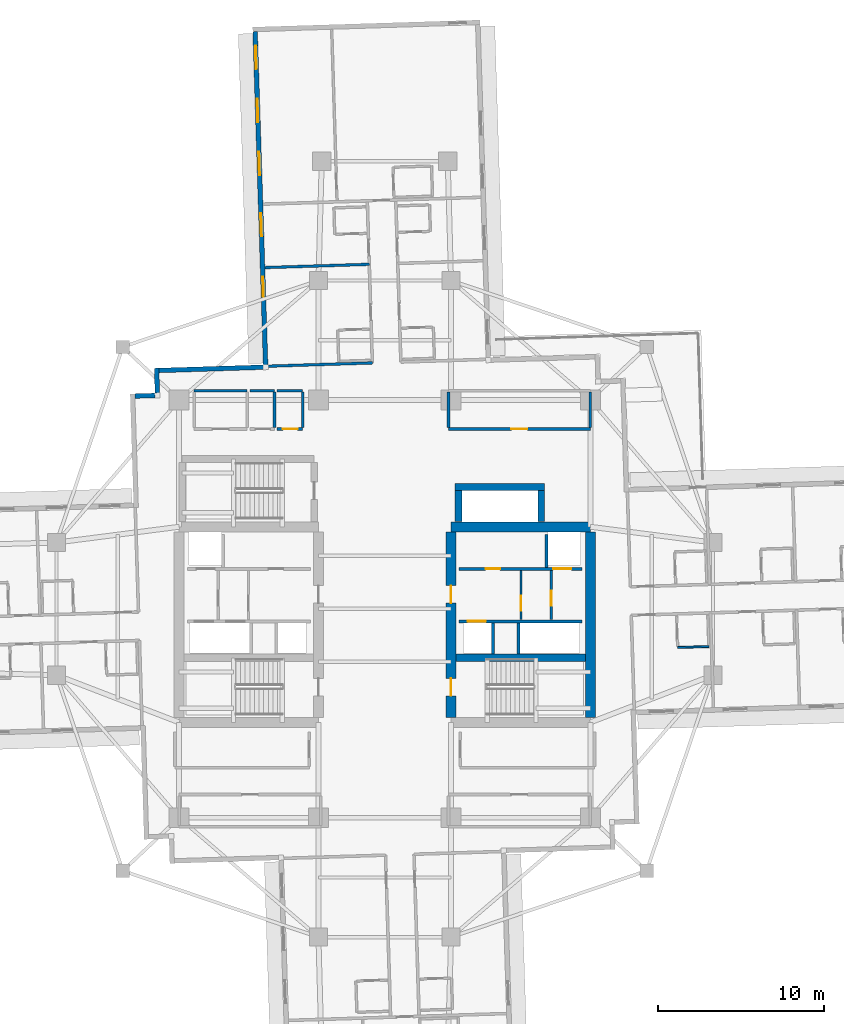
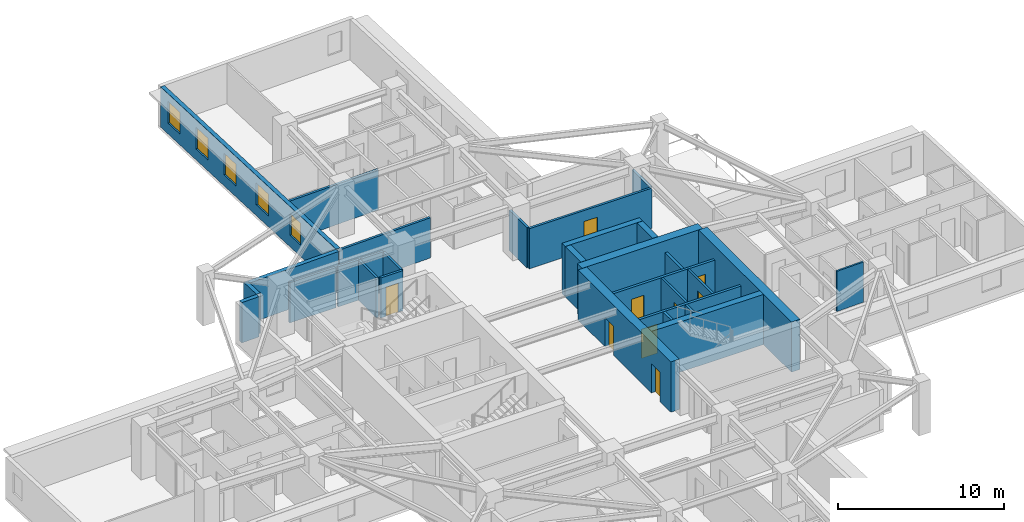
# One storey, part 6 of 14: 30 walls, 9 doors, 5 windows, 14 openings.
"""IFC4 building model written with IfcOpenShell, lengths in metres."""

from ifc_helpers import new_model, si_unit, direction, frame, frame_2d, origin, place, context, subcontext, project, spatial, rectangle, extrude, material, layer, layer_set, type_object, element, fill, save


model = new_model("IFC4")

# Units and contexts
model_context = context("Model", 3, precision=1e-05, world=origin(), true_north=direction((0.0, 1.0)))
body_context = subcontext(model_context, "Body", "Model", "MODEL_VIEW")
ifc_project = project(units=[si_unit("LENGTHUNIT", "METRE"), si_unit("AREAUNIT", "SQUARE_METRE"), si_unit("VOLUMEUNIT", "CUBIC_METRE"), si_unit("PLANEANGLEUNIT", "RADIAN"), si_unit("MASSUNIT", "GRAM", prefix="KILO")], contexts=[model_context])

# Site, building, storey
site_placement = place(None, origin())
site = spatial("IfcSite", under=ifc_project, at=site_placement, CompositionType="ELEMENT")
building_placement = place(site_placement, origin())
building = spatial("IfcBuilding", under=site, at=building_placement, Name="Qingluan Cross Belvedere", CompositionType="ELEMENT")
storey_placement = place(building_placement, frame((0.0, 0.0, 135.89990234375)))
storey = spatial("IfcBuildingStorey", under=building, at=storey_placement, Name="L34", CompositionType="ELEMENT", Elevation=135.89990234375)

# Walls
ifc_material_1 = material(Name="Concrete C50", Category="concrete")
ifc_layer_1 = layer(ifc_material_1, 0.449951171875, Name="CoreShearWall_450")
ifc_layer_set_1 = layer_set([ifc_layer_1], Name="Concrete C50")
wall_type_1 = type_object("IfcWallType", Name="CoreShearWall_450", PredefinedType="SHEAR", material=ifc_layer_set_1)
wall_1_placement = place(storey_placement, frame((4.304931640625, -2.9599609375, 0.0), z_axis=(0.0, 0.0, 1.0), x_axis=(1.0, 0.0, 0.0)))
element("IfcWall", 1, at=wall_1_placement, inside=storey, type_object=wall_type_1, Name="Split core E shear wall L34-M", PredefinedType="SHEAR", context=body_context, shape_type="SweptSolid", body=[
    extrude(rectangle(XDim=7.7900390625, YDim=0.449951171875, at=frame_2d((3.89501953125, 0.0))), origin(), (0.0, 0.0, 1.0), 3.7001953125),
])
wall_2_placement = place(storey_placement, frame((4.449951171875, 5.2548828125, 0.0), z_axis=(0.0, 0.0, 1.0), x_axis=(0.0, 1.0, 0.0)))
element("IfcWall", 2, at=wall_2_placement, inside=storey, type_object=wall_type_1, Name="Express shuttle core wall L34-W", PredefinedType="SHEAR", context=body_context, shape_type="SweptSolid", body=[
    extrude(rectangle(XDim=1.885009765625, YDim=0.39990234375, at=frame_2d((0.9423828125, 0.0))), origin(), (0.0, 0.0, 1.0), 3.7001953125),
])
wall_3_placement = place(storey_placement, frame((4.25, 7.35009765625, 0.0), z_axis=(0.0, 0.0, 1.0), x_axis=(1.0, 0.0, 0.0)))
element("IfcWall", 3, at=wall_3_placement, inside=storey, type_object=wall_type_1, Name="Express shuttle core wall L34-N", PredefinedType="SHEAR", context=body_context, shape_type="SweptSolid", body=[
    extrude(rectangle(XDim=5.39990234375, YDim=0.39990234375, at=frame_2d((2.699951171875, 0.0))), origin(), (0.0, 0.0, 1.0), 3.7001953125),
])
wall_4_placement = place(storey_placement, frame((9.449951171875, 5.2548828125, 0.0), z_axis=(0.0, 0.0, 1.0), x_axis=(0.0, 1.0, 0.0)))
element("IfcWall", 4, at=wall_4_placement, inside=storey, type_object=wall_type_1, Name="Express shuttle core wall L34-E", PredefinedType="SHEAR", context=body_context, shape_type="SweptSolid", body=[
    extrude(rectangle(XDim=1.885009765625, YDim=0.39990234375, at=frame_2d((0.9423828125, 0.0))), origin(), (0.0, 0.0, 1.0), 3.7001953125),
])
ifc_material_2 = material(Name="Concrete C60", Category="concrete")
ifc_layer_2 = layer(ifc_material_2, 0.60009765625, Name="CoreShearWall_600")
ifc_layer_set_2 = layer_set([ifc_layer_2], Name="Concrete C60")
wall_type_2 = type_object("IfcWallType", Name="CoreShearWall_600", PredefinedType="SHEAR", material=ifc_layer_set_2)
wall_5_placement = place(storey_placement, frame((4.0, 4.949951171875, 0.0), z_axis=(0.0, 0.0, 1.0), x_axis=(1.0, 0.0, 0.0)))
element("IfcWall", 5, at=wall_5_placement, inside=storey, type_object=wall_type_2, Name="Split core E shear wall L34-N", PredefinedType="SHEAR", context=body_context, shape_type="SweptSolid", body=[
    extrude(rectangle(XDim=8.39990234375, YDim=0.60009765625, at=frame_2d((4.199951171875, 0.0))), origin(), (0.0, 0.0, 1.0), 3.7001953125),
])

# Wall, openings, doors
wall_6_placement = place(storey_placement, frame((4.0, -6.544921875, 0.0), z_axis=(0.0, 0.0, 1.0), x_axis=(0.0, 1.0, 0.0)))
wall_6 = element("IfcWall", 6, at=wall_6_placement, inside=storey, type_object=wall_type_2, Name="Split core E shear wall L34-W", PredefinedType="SHEAR", context=body_context, shape_type="SweptSolid", body=[
    extrude(rectangle(XDim=11.18994140625, YDim=0.60009765625, at=frame_2d((5.594970703125, 0.0))), origin(), (0.0, 0.0, 1.0), 3.7001953125),
])
opening_1_placement = place(wall_6_placement, frame((1.294921875, 0.0, 0.0)))
opening_1 = element("IfcOpeningElement", 7, at=opening_1_placement, cuts=wall_6, Name="Opening FD-B11", PredefinedType="OPENING", context=body_context, shape_type="SweptSolid", body=[
    extrude(rectangle(XDim=1.050048828125, YDim=2.14990234375, at=frame_2d((0.52490234375, 1.074951171875))), frame((0.0, 0.31005859375, 0.0), z_axis=(0.0, -1.0, 0.0), x_axis=(1.0, 0.0, 0.0)), (0.0, 0.0, 1.0), 0.6201171875),
])
opening_2_placement = place(wall_6_placement, frame((6.89501953125, 0.0, 0.0)))
opening_2 = element("IfcOpeningElement", 8, at=opening_2_placement, cuts=wall_6, Name="Opening FD-B11", PredefinedType="OPENING", context=body_context, shape_type="SweptSolid", body=[
    extrude(rectangle(XDim=1.050048828125, YDim=2.14990234375, at=frame_2d((0.52490234375, 1.074951171875))), frame((0.0, 0.31005859375, 0.0), z_axis=(0.0, -1.0, 0.0), x_axis=(1.0, 0.0, 0.0)), (0.0, 0.0, 1.0), 0.6201171875),
])
ifc_material_3 = material(Name="Steel Class B smoke-seal fire door", Category="steel")
door_type_1 = type_object("IfcDoorType", Name="StairLobbyFireDoor_FDB", OperationType="NOTDEFINED", PredefinedType="DOOR", material=ifc_material_3)
door_1_placement = place(opening_1_placement, origin())
door_1 = element("IfcDoor", 9, at=door_1_placement, inside=storey, type_object=door_type_1, Name="Smoke-proof stair ST2 fire door L34", OperationType="SINGLE_SWING_LEFT", OverallHeight=2.14990234375, OverallWidth=1.050048828125, PredefinedType="DOOR", context=body_context, shape_type="SweptSolid", body=[
    extrude(rectangle(XDim=1.050048828125, YDim=2.14990234375, at=frame_2d((0.52490234375, 1.074951171875))), frame((0.0, 0.02490234375, 0.0), z_axis=(0.0, -1.0, 0.0), x_axis=(1.0, 0.0, 0.0)), (0.0, 0.0, 1.0), 0.050048828125),
])
fill(opening_1, door_1)
door_2_placement = place(opening_2_placement, origin())
door_2 = element("IfcDoor", 10, at=door_2_placement, inside=storey, type_object=door_type_1, Name="Firefighting lobby East fire door L34", OperationType="SINGLE_SWING_LEFT", OverallHeight=2.14990234375, OverallWidth=1.050048828125, PredefinedType="DOOR", context=body_context, shape_type="SweptSolid", body=[
    extrude(rectangle(XDim=1.050048828125, YDim=2.14990234375, at=frame_2d((0.52490234375, 1.074951171875))), frame((0.0, 0.02490234375, 0.0), z_axis=(0.0, -1.0, 0.0), x_axis=(1.0, 0.0, 0.0)), (0.0, 0.0, 1.0), 0.050048828125),
])
fill(opening_2, door_2)

# Wall
wall_7_placement = place(storey_placement, frame((12.39990234375, -6.544921875, 0.0), z_axis=(0.0, 0.0, 1.0), x_axis=(0.0, 1.0, 0.0)))
element("IfcWall", 11, at=wall_7_placement, inside=storey, type_object=wall_type_2, Name="Split core E shear wall L34-E", PredefinedType="SHEAR", context=body_context, shape_type="SweptSolid", body=[
    extrude(rectangle(XDim=11.18994140625, YDim=0.60009765625, at=frame_2d((5.594970703125, 0.0))), origin(), (0.0, 0.0, 1.0), 3.7001953125),
])

# Wall, opening, door
ifc_material_4 = material(Name="Gypsum plasterboard on steel stud acoustic partition", Category="steel")
ifc_layer_3 = layer(ifc_material_4, 0.159912109375, Name="CorridorPartition_160")
ifc_layer_set_3 = layer_set([ifc_layer_3], Name="Gypsum plasterboard on steel stud acoustic partition")
wall_type_3 = type_object("IfcWallType", Name="CorridorPartition_160", PredefinedType="PARTITIONING", material=ifc_layer_set_3)
wall_8_placement = place(storey_placement, frame((10.050048828125, -0.652099609375, 0.0), z_axis=(0.0, 0.0, 1.0), x_axis=(0.0, 1.0, 0.0)))
wall_8 = element("IfcWall", 12, at=wall_8_placement, inside=storey, type_object=wall_type_3, Name="Partition L34:ev", PredefinedType="PARTITIONING", context=body_context, shape_type="SweptSolid", body=[
    extrude(rectangle(XDim=2.962158203125, YDim=0.139892578125, at=frame_2d((1.48095703125, 0.0))), origin(), (0.0, 0.0, 1.0), 2.960205078125),
])
opening_3_placement = place(wall_8_placement, frame((0.85009765625, 0.0, 0.0)))
opening_3 = element("IfcOpeningElement", 13, at=opening_3_placement, cuts=wall_8, Name="Opening FD-B10", PredefinedType="OPENING", context=body_context, shape_type="SweptSolid", body=[
    extrude(rectangle(XDim=0.8798828125, YDim=2.10009765625, at=frame_2d((0.43994140625, 1.050048828125))), frame((0.0, 0.079833984375, 0.0), z_axis=(0.0, -1.0, 0.0), x_axis=(1.0, 0.0, 0.0)), (0.0, 0.0, 1.0), 0.159912109375),
])
ifc_material_5 = material(Name="Steel Class B service fire door", Category="steel")
door_type_2 = type_object("IfcDoorType", Name="RiserServiceFireDoor_FDB", OperationType="NOTDEFINED", PredefinedType="DOOR", material=ifc_material_5)
door_3_placement = place(opening_3_placement, origin())
door_3 = element("IfcDoor", 14, at=door_3_placement, inside=storey, type_object=door_type_2, Name="Service closet inner door L34", OperationType="SINGLE_SWING_RIGHT", OverallHeight=2.10009765625, OverallWidth=0.8798828125, PredefinedType="DOOR", context=body_context, shape_type="SweptSolid", body=[
    extrude(rectangle(XDim=0.8798828125, YDim=2.10009765625, at=frame_2d((0.43994140625, 1.050048828125))), frame((0.0, 0.02490234375, 0.0), z_axis=(0.0, -1.0, 0.0), x_axis=(1.0, 0.0, 0.0)), (0.0, 0.0, 1.0), 0.050048828125),
])
fill(opening_3, door_3)

# Walls
wall_9_placement = place(storey_placement, frame((-11.5, 13.14990234375, 0.0), z_axis=(0.0, 0.0, 1.0), x_axis=(1.0, 0.0, 0.0)))
element("IfcWall", 15, at=wall_9_placement, inside=storey, type_object=wall_type_3, Name="Partition L34:q_nw_occ:N", PredefinedType="PARTITIONING", context=body_context, shape_type="SweptSolid", body=[
    extrude(rectangle(XDim=3.199951171875, YDim=0.159912109375, at=frame_2d((1.60009765625, 0.0))), origin(), (0.0, 0.0, 1.0), 2.960205078125),
])
wall_10_placement = place(storey_placement, frame((-8.139892578125, 13.14990234375, 0.0), z_axis=(0.0, 0.0, 1.0), x_axis=(1.0, 0.0, 0.0)))
element("IfcWall", 16, at=wall_10_placement, inside=storey, type_object=wall_type_3, Name="Partition L34:hk_linen:N", PredefinedType="PARTITIONING", context=body_context, shape_type="SweptSolid", body=[
    extrude(rectangle(XDim=1.489990234375, YDim=0.159912109375, at=frame_2d((0.7451171875, 0.0))), origin(), (0.0, 0.0, 1.0), 2.960205078125),
])
wall_11_placement = place(storey_placement, frame((-6.64990234375, 10.93505859375, 0.0), z_axis=(0.0, 0.0, 1.0), x_axis=(0.0, 1.0, 0.0)))
element("IfcWall", 17, at=wall_11_placement, inside=storey, type_object=wall_type_3, Name="Partition L34:hk_linen:E", PredefinedType="PARTITIONING", context=body_context, shape_type="SweptSolid", body=[
    extrude(rectangle(XDim=2.1298828125, YDim=0.159912109375, at=frame_2d((1.06494140625, 0.0))), origin(), (0.0, 0.0, 1.0), 2.960205078125),
])

# Wall, opening, door
wall_12_placement = place(storey_placement, frame((-6.489990234375, 10.85009765625, 0.0), z_axis=(0.0, 0.0, 1.0), x_axis=(1.0, 0.0, 0.0)))
wall_12 = element("IfcWall", 18, at=wall_12_placement, inside=storey, type_object=wall_type_3, Name="Partition L34:floor_acc_wc:S", PredefinedType="PARTITIONING", context=body_context, shape_type="SweptSolid", body=[
    extrude(rectangle(XDim=1.5400390625, YDim=0.159912109375, at=frame_2d((0.77001953125, 0.0))), origin(), (0.0, 0.0, 1.0), 2.960205078125),
])
opening_4_placement = place(wall_12_placement, frame((0.35009765625, 0.0, 0.0)))
opening_4 = element("IfcOpeningElement", 19, at=opening_4_placement, cuts=wall_12, Name="Opening BD-08", PredefinedType="OPENING", context=body_context, shape_type="SweptSolid", body=[
    extrude(rectangle(XDim=0.8798828125, YDim=2.14990234375, at=frame_2d((0.43994140625, 1.074951171875))), frame((0.0, 0.08984375, 0.0), z_axis=(0.0, -1.0, 0.0), x_axis=(1.0, 0.0, 0.0)), (0.0, 0.0, 1.0), 0.179931640625),
])
ifc_material_6 = material(Name="Moisture-sealed timber accessible WC door", Category="wood")
door_type_3 = type_object("IfcDoorType", Name="AccessibleWCDoor_880", OperationType="NOTDEFINED", PredefinedType="DOOR", material=ifc_material_6)
door_4_placement = place(opening_4_placement, origin())
door_4 = element("IfcDoor", 20, at=door_4_placement, inside=storey, type_object=door_type_3, Name="Accessible guest washroom L34 door", OperationType="SINGLE_SWING_RIGHT", OverallHeight=2.14990234375, OverallWidth=0.8798828125, PredefinedType="DOOR", context=body_context, shape_type="SweptSolid", body=[
    extrude(rectangle(XDim=0.8798828125, YDim=2.14990234375, at=frame_2d((0.43994140625, 1.074951171875))), frame((0.0, 0.02490234375, 0.0), z_axis=(0.0, -1.0, 0.0), x_axis=(1.0, 0.0, 0.0)), (0.0, 0.0, 1.0), 0.050048828125),
])
fill(opening_4, door_4)

# Walls
wall_13_placement = place(storey_placement, frame((-6.489990234375, 13.14990234375, 0.0), z_axis=(0.0, 0.0, 1.0), x_axis=(1.0, 0.0, 0.0)))
element("IfcWall", 21, at=wall_13_placement, inside=storey, type_object=wall_type_3, Name="Partition L34:floor_acc_wc:N", PredefinedType="PARTITIONING", context=body_context, shape_type="SweptSolid", body=[
    extrude(rectangle(XDim=1.5400390625, YDim=0.159912109375, at=frame_2d((0.77001953125, 0.0))), origin(), (0.0, 0.0, 1.0), 2.960205078125),
])
wall_14_placement = place(storey_placement, frame((-4.949951171875, 10.93505859375, 0.0), z_axis=(0.0, 0.0, 1.0), x_axis=(0.0, 1.0, 0.0)))
element("IfcWall", 22, at=wall_14_placement, inside=storey, type_object=wall_type_3, Name="Partition L34:floor_acc_wc:E", PredefinedType="PARTITIONING", context=body_context, shape_type="SweptSolid", body=[
    extrude(rectangle(XDim=2.1298828125, YDim=0.159912109375, at=frame_2d((1.06494140625, 0.0))), origin(), (0.0, 0.0, 1.0), 2.960205078125),
])

# Wall, opening, door
wall_15_placement = place(storey_placement, frame((3.85009765625, 10.85009765625, 0.0), z_axis=(0.0, 0.0, 1.0), x_axis=(1.0, 0.0, 0.0)))
wall_15 = element("IfcWall", 23, at=wall_15_placement, inside=storey, type_object=wall_type_3, Name="Partition L34:q_ne:S", PredefinedType="PARTITIONING", context=body_context, shape_type="SweptSolid", body=[
    extrude(rectangle(XDim=8.5498046875, YDim=0.159912109375, at=frame_2d((4.27490234375, 0.0))), origin(), (0.0, 0.0, 1.0), 2.960205078125),
])
opening_5_placement = place(wall_15_placement, frame((3.794921875, 0.0, 0.0)))
opening_5 = element("IfcOpeningElement", 24, at=opening_5_placement, cuts=wall_15, Name="Opening GD-10", PredefinedType="OPENING", context=body_context, shape_type="SweptSolid", body=[
    extrude(rectangle(XDim=0.9599609375, YDim=2.14990234375, at=frame_2d((0.47998046875, 1.074951171875))), frame((0.0, 0.08984375, 0.0), z_axis=(0.0, -1.0, 0.0), x_axis=(1.0, 0.0, 0.0)), (0.0, 0.0, 1.0), 0.179931640625),
])
ifc_material_7 = material(Name="Timber oak fire-rated acoustic guestroom door", Category="wood")
door_type_4 = type_object("IfcDoorType", Name="GuestEntryDoor_FD60", OperationType="NOTDEFINED", PredefinedType="DOOR", material=ifc_material_7)
door_5_placement = place(opening_5_placement, origin())
door_5 = element("IfcDoor", 25, at=door_5_placement, inside=storey, type_object=door_type_4, Name="Pilates movement studio L34 door", OperationType="SINGLE_SWING_LEFT", OverallHeight=2.14990234375, OverallWidth=0.9599609375, PredefinedType="DOOR", context=body_context, shape_type="SweptSolid", body=[
    extrude(rectangle(XDim=0.9599609375, YDim=2.14990234375, at=frame_2d((0.47998046875, 1.074951171875))), frame((0.0, 0.02490234375, 0.0), z_axis=(0.0, -1.0, 0.0), x_axis=(1.0, 0.0, 0.0)), (0.0, 0.0, 1.0), 0.050048828125),
])
fill(opening_5, door_5)

# Walls
for number, where, z_axis, x_axis, name in (
    (26, (3.85009765625, 10.93505859375, 0.0), (0.0, 0.0, 1.0), (0.0, 1.0, 0.0), "Partition L34:q_ne:W"),
    (27, (12.39990234375, 10.93505859375, 0.0), (0.0, 0.0, 1.0), (0.0, 1.0, 0.0), "Partition L34:q_ne:E"),
):
    element("IfcWall", number, at=place(storey_placement, frame(where, z_axis=z_axis, x_axis=x_axis)), inside=storey, type_object=wall_type_3, Name=name, PredefinedType="PARTITIONING", context=body_context, shape_type="SweptSolid", body=[
        extrude(rectangle(XDim=2.1298828125, YDim=0.159912109375, at=frame_2d((1.06494140625, 0.0))), origin(), (0.0, 0.0, 1.0), 2.960205078125),
    ])
wall_16_placement = place(storey_placement, frame((-0.746337890625, 14.833984375, 0.0), z_axis=(0.0, 0.0, 1.0), x_axis=(-0.999506028801, -0.031427669178, 0.0)))
element("IfcWall", 28, at=wall_16_placement, inside=storey, type_object=wall_type_3, Name="Partition L34:N:s1", PredefinedType="PARTITIONING", context=body_context, shape_type="SweptSolid", body=[
    extrude(rectangle(XDim=6.43994140625, YDim=0.159912109375, at=frame_2d((3.219970703125, 0.0))), origin(), (0.0, 0.0, 1.0), 2.960205078125),
])
wall_17_placement = place(storey_placement, frame((-0.93310546875, 20.781005859375, 0.0), z_axis=(0.0, 0.0, 1.0), x_axis=(-0.999506000601, -0.031428566013, 0.0)))
element("IfcWall", 29, at=wall_17_placement, inside=storey, type_object=wall_type_3, Name="Partition L34:N:d1_0", PredefinedType="PARTITIONING", context=body_context, shape_type="SweptSolid", body=[
    extrude(rectangle(XDim=6.292236328125, YDim=0.159912109375, at=frame_2d((3.14599609375, 0.0))), origin(), (0.0, 0.0, 1.0), 2.960205078125),
])
ifc_material_8 = material(Name="Moisture-resistant gypsum board lining")
ifc_layer_4 = layer(ifc_material_8, 0.1201171875, Name="EnsuiteWetPartition_120")
ifc_layer_set_4 = layer_set([ifc_layer_4], Name="Moisture-resistant gypsum board lining")
wall_type_4 = type_object("IfcWallType", Name="EnsuiteWetPartition_120", PredefinedType="PARTITIONING", material=ifc_layer_set_4)
wall_18_placement = place(storey_placement, frame((17.669921875, -2.3310546875, 0.0), z_axis=(0.0, 0.0, 1.0), x_axis=(0.999510173889, 0.031295563454, 0.0)))
element("IfcWall", 30, at=wall_18_placement, inside=storey, type_object=wall_type_4, Name="Partition L34:E:bc1_0", PredefinedType="PARTITIONING", context=body_context, shape_type="SweptSolid", body=[
    extrude(rectangle(XDim=1.880126953125, YDim=0.1201171875, at=frame_2d((0.93994140625, 0.0))), origin(), (0.0, 0.0, 1.0), 2.960205078125),
])

# Wall, openings, windows
ifc_material_9 = material(Name="Precast concrete C45", Category="concrete")
ifc_layer_5 = layer(ifc_material_9, 0.280029296875, Name="PrecastFacadeWall_280")
ifc_layer_set_5 = layer_set([ifc_layer_5], Name="Precast concrete C45")
wall_type_5 = type_object("IfcWallType", Name="PrecastFacadeWall_280", PredefinedType="STANDARD", material=ifc_layer_set_5)
wall_19_placement = place(storey_placement, frame((-7.8173828125, 34.8115234375, 0.0), z_axis=(0.0, 0.0, 1.0), x_axis=(0.031410322165, -0.999506574096, 0.0)))
wall_19 = element("IfcWall", 31, at=wall_19_placement, inside=storey, type_object=wall_type_5, Name="Facade wall L34-NB", PredefinedType="STANDARD", context=body_context, shape_type="SweptSolid", body=[
    extrude(rectangle(XDim=20.10009765625, YDim=0.280029296875, at=frame_2d((10.050048828125, 0.0))), origin(), (0.0, 0.0, 1.0), 2.97021484375),
])
opening_6_placement = place(wall_19_placement, frame((0.85009765625, 0.0, 0.800048828125)))
opening_6 = element("IfcOpeningElement", 32, at=opening_6_placement, cuts=wall_19, Name="Opening W-01", PredefinedType="OPENING", context=body_context, shape_type="SweptSolid", body=[
    extrude(rectangle(XDim=1.39990234375, YDim=1.60009765625, at=frame_2d((0.699951171875, 0.800048828125))), frame((0.0, 0.14990234375, 0.0), z_axis=(0.0, -1.0, 0.0), x_axis=(1.0, 0.0, 0.0)), (0.0, 0.0, 1.0), 0.300048828125),
])
opening_7_placement = place(wall_19_placement, frame((4.050048828125, 0.0, 0.800048828125)))
opening_7 = element("IfcOpeningElement", 33, at=opening_7_placement, cuts=wall_19, Name="Opening W-01", PredefinedType="OPENING", context=body_context, shape_type="SweptSolid", body=[
    extrude(rectangle(XDim=1.39990234375, YDim=1.60009765625, at=frame_2d((0.699951171875, 0.800048828125))), frame((0.0, 0.14990234375, 0.0), z_axis=(0.0, -1.0, 0.0), x_axis=(1.0, 0.0, 0.0)), (0.0, 0.0, 1.0), 0.300048828125),
])
opening_8_placement = place(wall_19_placement, frame((7.25, 0.0, 0.800048828125)))
opening_8 = element("IfcOpeningElement", 34, at=opening_8_placement, cuts=wall_19, Name="Opening W-01", PredefinedType="OPENING", context=body_context, shape_type="SweptSolid", body=[
    extrude(rectangle(XDim=1.39990234375, YDim=1.60009765625, at=frame_2d((0.699951171875, 0.800048828125))), frame((0.0, 0.14990234375, 0.0), z_axis=(0.0, -1.0, 0.0), x_axis=(1.0, 0.0, 0.0)), (0.0, 0.0, 1.0), 0.300048828125),
])
opening_9_placement = place(wall_19_placement, frame((10.949951171875, 0.0, 0.800048828125)))
opening_9 = element("IfcOpeningElement", 35, at=opening_9_placement, cuts=wall_19, Name="Opening W-01", PredefinedType="OPENING", context=body_context, shape_type="SweptSolid", body=[
    extrude(rectangle(XDim=1.39990234375, YDim=1.60009765625, at=frame_2d((0.699951171875, 0.800048828125))), frame((0.0, 0.14990234375, 0.0), z_axis=(0.0, -1.0, 0.0), x_axis=(1.0, 0.0, 0.0)), (0.0, 0.0, 1.0), 0.300048828125),
])
opening_10_placement = place(wall_19_placement, frame((14.799072265625, 0.0, 0.85009765625)))
opening_10 = element("IfcOpeningElement", 36, at=opening_10_placement, cuts=wall_19, Name="Opening W-02", PredefinedType="OPENING", context=body_context, shape_type="SweptSolid", body=[
    extrude(rectangle(XDim=1.199951171875, YDim=1.60009765625, at=frame_2d((0.60009765625, 0.800048828125))), frame((0.0, 0.14990234375, 0.0), z_axis=(0.0, -1.0, 0.0), x_axis=(1.0, 0.0, 0.0)), (0.0, 0.0, 1.0), 0.300048828125),
])
ifc_material_10 = material(Name="Thermally broken triple Low-E glass in aluminium frame", Category="aluminium")
window_type_1 = type_object("IfcWindowType", Name="TriRibbonWin_1200x1600", PartitioningType="SINGLE_PANEL", PredefinedType="WINDOW", material=ifc_material_10)
window_1_placement = place(opening_10_placement, origin())
window_1 = element("IfcWindow", 37, at=window_1_placement, inside=storey, type_object=window_type_1, Name="Corner hotel suite 3413 daylight window", OverallHeight=1.60009765625, OverallWidth=1.199951171875, PartitioningType="SINGLE_PANEL", PredefinedType="WINDOW", context=body_context, shape_type="SweptSolid", body=[
    extrude(rectangle(XDim=1.199951171875, YDim=1.60009765625, at=frame_2d((0.60009765625, 0.800048828125))), frame((0.0, 0.030029296875, 0.0), z_axis=(0.0, -1.0, 0.0), x_axis=(1.0, 0.0, 0.0)), (0.0, 0.0, 1.0), 0.06005859375),
])
fill(opening_10, window_1)
ifc_material_11 = material(Name="Thermally broken triple Low-E glass in aluminium frame", Category="aluminium")
window_type_2 = type_object("IfcWindowType", Name="TriRibbonWin_1400x1600", PartitioningType="SINGLE_PANEL", PredefinedType="WINDOW", material=ifc_material_11)
window_2_placement = place(opening_6_placement, origin())
window_2 = element("IfcWindow", 38, at=window_2_placement, inside=storey, type_object=window_type_2, Name="Ribbon window L34-NB-1", OverallHeight=1.60009765625, OverallWidth=1.39990234375, PartitioningType="SINGLE_PANEL", PredefinedType="WINDOW", context=body_context, shape_type="SweptSolid", body=[
    extrude(rectangle(XDim=1.39990234375, YDim=1.60009765625, at=frame_2d((0.699951171875, 0.800048828125))), frame((0.0, 0.030029296875, 0.0), z_axis=(0.0, -1.0, 0.0), x_axis=(1.0, 0.0, 0.0)), (0.0, 0.0, 1.0), 0.06005859375),
])
fill(opening_6, window_2)
window_3_placement = place(opening_7_placement, origin())
window_3 = element("IfcWindow", 39, at=window_3_placement, inside=storey, type_object=window_type_2, Name="Ribbon window L34-NB-2", OverallHeight=1.60009765625, OverallWidth=1.39990234375, PartitioningType="SINGLE_PANEL", PredefinedType="WINDOW", context=body_context, shape_type="SweptSolid", body=[
    extrude(rectangle(XDim=1.39990234375, YDim=1.60009765625, at=frame_2d((0.699951171875, 0.800048828125))), frame((0.0, 0.030029296875, 0.0), z_axis=(0.0, -1.0, 0.0), x_axis=(1.0, 0.0, 0.0)), (0.0, 0.0, 1.0), 0.06005859375),
])
fill(opening_7, window_3)
window_4_placement = place(opening_8_placement, origin())
window_4 = element("IfcWindow", 40, at=window_4_placement, inside=storey, type_object=window_type_2, Name="Ribbon window L34-NB-3", OverallHeight=1.60009765625, OverallWidth=1.39990234375, PartitioningType="SINGLE_PANEL", PredefinedType="WINDOW", context=body_context, shape_type="SweptSolid", body=[
    extrude(rectangle(XDim=1.39990234375, YDim=1.60009765625, at=frame_2d((0.699951171875, 0.800048828125))), frame((0.0, 0.030029296875, 0.0), z_axis=(0.0, -1.0, 0.0), x_axis=(1.0, 0.0, 0.0)), (0.0, 0.0, 1.0), 0.06005859375),
])
fill(opening_8, window_4)
window_5_placement = place(opening_9_placement, origin())
window_5 = element("IfcWindow", 41, at=window_5_placement, inside=storey, type_object=window_type_2, Name="Ribbon window L34-NB-4", OverallHeight=1.60009765625, OverallWidth=1.39990234375, PartitioningType="SINGLE_PANEL", PredefinedType="WINDOW", context=body_context, shape_type="SweptSolid", body=[
    extrude(rectangle(XDim=1.39990234375, YDim=1.60009765625, at=frame_2d((0.699951171875, 0.800048828125))), frame((0.0, 0.030029296875, 0.0), z_axis=(0.0, -1.0, 0.0), x_axis=(1.0, 0.0, 0.0)), (0.0, 0.0, 1.0), 0.06005859375),
])
fill(opening_9, window_5)

# Walls
wall_20_placement = place(storey_placement, frame((-15.070556640625, 12.8330078125, 0.0), z_axis=(0.0, 0.0, 1.0), x_axis=(0.999506398264, 0.031415916822, 0.0)))
element("IfcWall", 42, at=wall_20_placement, inside=storey, type_object=wall_type_5, Name="Corner wall L34-NW2", PredefinedType="STANDARD", context=body_context, shape_type="SweptSolid", body=[
    extrude(rectangle(XDim=1.219970703125, YDim=0.280029296875, at=frame_2d((0.60986328125, 0.0))), origin(), (0.0, 0.0, 1.0), 2.97021484375),
])
wall_21_placement = place(storey_placement, frame((-13.715576171875, 13.015625, 0.0), z_axis=(0.0, 0.0, 1.0), x_axis=(-0.031412596484, 0.999506502621, 0.0)))
element("IfcWall", 43, at=wall_21_placement, inside=storey, type_object=wall_type_5, Name="Corner wall L34-NW3", PredefinedType="STANDARD", context=body_context, shape_type="SweptSolid", body=[
    extrude(rectangle(XDim=1.5, YDim=0.280029296875, at=frame_2d((0.75, 0.0))), origin(), (0.0, 0.0, 1.0), 2.97021484375),
])
wall_22_placement = place(storey_placement, frame((-13.618408203125, 14.37939453125, 0.0), z_axis=(0.0, 0.0, 1.0), x_axis=(0.999507224741, 0.031389611199, 0.0)))
element("IfcWall", 44, at=wall_22_placement, inside=storey, type_object=wall_type_5, Name="Corner wall L34-NW4", PredefinedType="STANDARD", context=body_context, shape_type="SweptSolid", body=[
    extrude(rectangle(XDim=6.300048828125, YDim=0.280029296875, at=frame_2d((3.14990234375, 0.0))), origin(), (0.0, 0.0, 1.0), 2.97021484375),
])

# Wall, openings, doors
ifc_material_12 = material(Name="Concrete C40", Category="concrete")
ifc_layer_6 = layer(ifc_material_12, 0.219970703125, Name="ShaftEnclosureWall_250")
ifc_layer_set_6 = layer_set([ifc_layer_6], Name="Concrete C40")
wall_type_6 = type_object("IfcWallType", Name="ShaftEnclosureWall_250", PredefinedType="SOLIDWALL", material=ifc_layer_set_6)
wall_23_placement = place(storey_placement, frame((4.47998046875, 2.409912109375, 0.0), z_axis=(0.0, 0.0, 1.0), x_axis=(1.0, 0.0, 0.0)))
wall_23 = element("IfcWall", 45, at=wall_23_placement, inside=storey, type_object=wall_type_6, Name="Core-E north hoistway wall L34", PredefinedType="SOLIDWALL", context=body_context, shape_type="SweptSolid", body=[
    extrude(rectangle(XDim=7.419921875, YDim=0.179931640625, at=frame_2d((3.7099609375, 0.0))), origin(), (0.0, 0.0, 1.0), 2.960205078125),
])
opening_11_placement = place(wall_23_placement, frame((5.669921875, 0.0, 0.0)))
opening_11 = element("IfcOpeningElement", 46, at=opening_11_placement, cuts=wall_23, Name="Opening LD-11", PredefinedType="OPENING", context=body_context, shape_type="SweptSolid", body=[
    extrude(rectangle(XDim=1.10009765625, YDim=2.14990234375, at=frame_2d((0.550048828125, 1.074951171875))), frame((0.0, 0.099853515625, 0.0), z_axis=(0.0, -1.0, 0.0), x_axis=(1.0, 0.0, 0.0)), (0.0, 0.0, 1.0), 0.199951171875),
])
opening_12_placement = place(wall_23_placement, frame((1.60009765625, 0.0, 0.0)))
opening_12 = element("IfcOpeningElement", 47, at=opening_12_placement, cuts=wall_23, Name="Opening FD-B10", PredefinedType="OPENING", context=body_context, shape_type="SweptSolid", body=[
    extrude(rectangle(XDim=0.8798828125, YDim=2.10009765625, at=frame_2d((0.43994140625, 1.050048828125))), frame((0.0, 0.099853515625, 0.0), z_axis=(0.0, -1.0, 0.0), x_axis=(1.0, 0.0, 0.0)), (0.0, 0.0, 1.0), 0.199951171875),
])
ifc_material_13 = material(Name="Brushed stainless steel centre-opening lift landing door", Category="steel")
door_type_5 = type_object("IfcDoorType", Name="LiftLandingSlidingDoor_1100", OperationType="DOUBLE_DOOR_SLIDING", PredefinedType="DOOR", material=ifc_material_13)
door_6_placement = place(opening_11_placement, origin())
door_6 = element("IfcDoor", 48, at=door_6_placement, inside=storey, type_object=door_type_5, Name="Lift landing sliding door FL2 L34", OperationType="DOUBLE_DOOR_SLIDING", OverallHeight=2.14990234375, OverallWidth=1.10009765625, PredefinedType="DOOR", context=body_context, shape_type="SweptSolid", body=[
    extrude(rectangle(XDim=1.10009765625, YDim=2.14990234375, at=frame_2d((0.550048828125, 1.074951171875))), frame((0.0, 0.02490234375, 0.0), z_axis=(0.0, -1.0, 0.0), x_axis=(1.0, 0.0, 0.0)), (0.0, 0.0, 1.0), 0.050048828125),
])
fill(opening_11, door_6)
door_7_placement = place(opening_12_placement, origin())
door_7 = element("IfcDoor", 49, at=door_7_placement, inside=storey, type_object=door_type_2, Name="Pantry room door E L34", OperationType="SINGLE_SWING_RIGHT", OverallHeight=2.10009765625, OverallWidth=0.8798828125, PredefinedType="DOOR", context=body_context, shape_type="SweptSolid", body=[
    extrude(rectangle(XDim=0.8798828125, YDim=2.10009765625, at=frame_2d((0.43994140625, 1.050048828125))), frame((0.0, 0.02490234375, 0.0), z_axis=(0.0, -1.0, 0.0), x_axis=(1.0, 0.0, 0.0)), (0.0, 0.0, 1.0), 0.050048828125),
])
fill(opening_12, door_7)

# Wall, opening, door
wall_24_placement = place(storey_placement, frame((4.47998046875, -0.75, 0.0), z_axis=(0.0, 0.0, 1.0), x_axis=(1.0, 0.0, 0.0)))
wall_24 = element("IfcWall", 50, at=wall_24_placement, inside=storey, type_object=wall_type_6, Name="Core-E mid hoistway wall L34", PredefinedType="SOLIDWALL", context=body_context, shape_type="SweptSolid", body=[
    extrude(rectangle(XDim=7.419921875, YDim=0.179931640625, at=frame_2d((3.7099609375, 0.0))), origin(), (0.0, 0.0, 1.0), 2.960205078125),
])
opening_13_placement = place(wall_24_placement, frame((0.52001953125, 0.0, 0.0)))
opening_13 = element("IfcOpeningElement", 51, at=opening_13_placement, cuts=wall_24, Name="Opening LD-11", PredefinedType="OPENING", context=body_context, shape_type="SweptSolid", body=[
    extrude(rectangle(XDim=1.10009765625, YDim=2.14990234375, at=frame_2d((0.550048828125, 1.074951171875))), frame((0.0, 0.099853515625, 0.0), z_axis=(0.0, -1.0, 0.0), x_axis=(1.0, 0.0, 0.0)), (0.0, 0.0, 1.0), 0.199951171875),
])
door_8_placement = place(opening_13_placement, origin())
door_8 = element("IfcDoor", 52, at=door_8_placement, inside=storey, type_object=door_type_5, Name="Lift landing sliding door LP7 L34", OperationType="DOUBLE_DOOR_SLIDING", OverallHeight=2.14990234375, OverallWidth=1.10009765625, PredefinedType="DOOR", context=body_context, shape_type="SweptSolid", body=[
    extrude(rectangle(XDim=1.10009765625, YDim=2.14990234375, at=frame_2d((0.550048828125, 1.074951171875))), frame((0.0, 0.02490234375, 0.0), z_axis=(0.0, -1.0, 0.0), x_axis=(1.0, 0.0, 0.0)), (0.0, 0.0, 1.0), 0.050048828125),
])
fill(opening_13, door_8)

# Walls
wall_25_placement = place(storey_placement, frame((9.760009765625, 2.5, 0.0), z_axis=(0.0, 0.0, 1.0), x_axis=(0.0, 1.0, 0.0)))
element("IfcWall", 53, at=wall_25_placement, inside=storey, type_object=wall_type_6, Name="Hoistway enclosure divider FL2W L34", PredefinedType="SOLIDWALL", context=body_context, shape_type="SweptSolid", body=[
    extrude(rectangle(XDim=1.989990234375, YDim=0.179931640625, at=frame_2d((0.9951171875, 0.0))), origin(), (0.0, 0.0, 1.0), 2.960205078125),
])
for number, where, z_axis, x_axis, name in (
    (54, (6.5400390625, -2.72998046875, 0.0), (0.0, 0.0, 1.0), (0.0, 1.0, 0.0), "Hoistway enclosure divider LP7E L34"),
    (55, (8.06005859375, -2.72998046875, 0.0), (0.0, 0.0, 1.0), (0.0, 1.0, 0.0), "Hoistway enclosure divider LP9W L34"),
):
    element("IfcWall", number, at=place(storey_placement, frame(where, z_axis=z_axis, x_axis=x_axis)), inside=storey, type_object=wall_type_6, Name=name, PredefinedType="SOLIDWALL", context=body_context, shape_type="SweptSolid", body=[
        extrude(rectangle(XDim=1.889892578125, YDim=0.179931640625, at=frame_2d((0.94482421875, 0.0))), origin(), (0.0, 0.0, 1.0), 2.960205078125),
    ])

# Wall, opening, door
wall_26_placement = place(storey_placement, frame((8.219970703125, -0.64990234375, 0.0), z_axis=(0.0, 0.0, 1.0), x_axis=(0.0, 1.0, 0.0)))
wall_26 = element("IfcWall", 56, at=wall_26_placement, inside=storey, type_object=wall_type_6, Name="Core-E service corridor wall L34", PredefinedType="SOLIDWALL", context=body_context, shape_type="SweptSolid", body=[
    extrude(rectangle(XDim=2.9599609375, YDim=0.139892578125, at=frame_2d((1.47998046875, 0.0))), origin(), (0.0, 0.0, 1.0), 2.960205078125),
])
opening_14_placement = place(wall_26_placement, frame((0.550048828125, 0.0, 0.0)))
opening_14 = element("IfcOpeningElement", 57, at=opening_14_placement, cuts=wall_26, Name="Opening FD-B10", PredefinedType="OPENING", context=body_context, shape_type="SweptSolid", body=[
    extrude(rectangle(XDim=0.8798828125, YDim=2.10009765625, at=frame_2d((0.43994140625, 1.050048828125))), frame((0.0, 0.079833984375, 0.0), z_axis=(0.0, -1.0, 0.0), x_axis=(1.0, 0.0, 0.0)), (0.0, 0.0, 1.0), 0.159912109375),
])
door_9_placement = place(opening_14_placement, origin())
door_9 = element("IfcDoor", 58, at=door_9_placement, inside=storey, type_object=door_type_2, Name="Core-E service room door L34", OperationType="SINGLE_SWING_RIGHT", OverallHeight=2.10009765625, OverallWidth=0.8798828125, PredefinedType="DOOR", context=body_context, shape_type="SweptSolid", body=[
    extrude(rectangle(XDim=0.8798828125, YDim=2.10009765625, at=frame_2d((0.43994140625, 1.050048828125))), frame((0.0, 0.02490234375, 0.0), z_axis=(0.0, -1.0, 0.0), x_axis=(1.0, 0.0, 0.0)), (0.0, 0.0, 1.0), 0.050048828125),
])
fill(opening_14, door_9)

save(model, "model.ifc")
